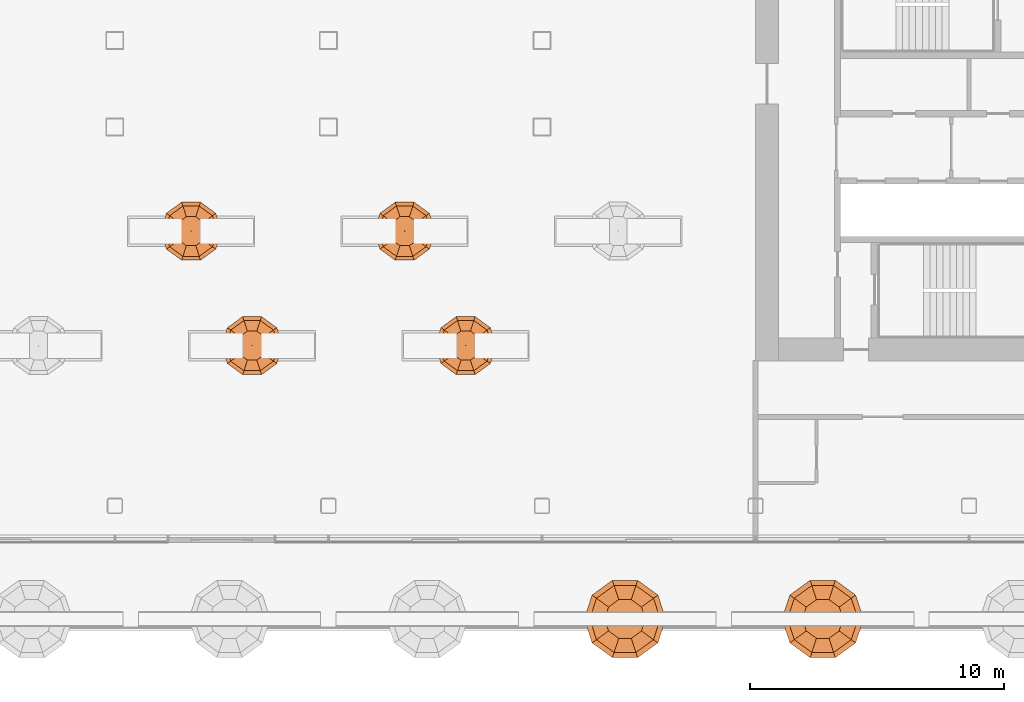
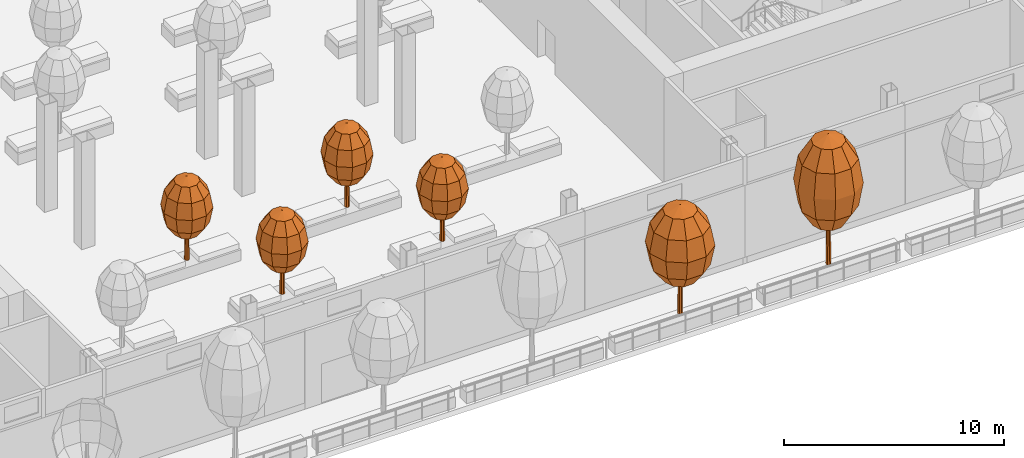
# One storey, part 38 of 41: 6 geographic elements.
"""IFC4 building model written with IfcOpenShell, lengths in metres."""

from ifc_helpers import new_model, si_unit, direction, frame, origin, place, context, subcontext, project, spatial, triangles, material, type_object, element, save


model = new_model("IFC4")

# Units and contexts
model_context = context("Model", 3, precision=1e-05, world=origin(), true_north=direction((0.0, 1.0)))
body_context = subcontext(model_context, "Body", "Model", "MODEL_VIEW")
ifc_project = project(units=[si_unit("LENGTHUNIT", "METRE"), si_unit("AREAUNIT", "SQUARE_METRE"), si_unit("VOLUMEUNIT", "CUBIC_METRE"), si_unit("PLANEANGLEUNIT", "RADIAN"), si_unit("MASSUNIT", "GRAM", prefix="KILO")], contexts=[model_context])

# Site, building, storey
site_placement = place(None, origin())
site = spatial("IfcSite", under=ifc_project, at=site_placement, CompositionType="ELEMENT")
building_placement = place(site_placement, origin())
building = spatial("IfcBuilding", under=site, at=building_placement, Name="Hakoniwa Tower and Hamabe Station Hall", CompositionType="ELEMENT")
storey_placement = place(building_placement, frame((0.0, 0.0, 180.199951171875)))
storey = spatial("IfcBuildingStorey", under=building, at=storey_placement, Name="L51", CompositionType="ELEMENT", Elevation=180.199951171875)

# Geographic elements
ifc_material_1 = material(Name="Tree foliage")
geographic_element_type_1 = type_object("IfcGeographicElementType", Name="Camellia 4.6 m", PredefinedType="USERDEFINED", material=ifc_material_1)
geographic_element_1_placement = place(storey_placement, frame((-5.39990234375, -3.300048828125, 0.60009765625)))
element("IfcGeographicElement", 1, at=geographic_element_1_placement, inside=storey, type_object=geographic_element_type_1, Name="Camellia 4-6 m", ObjectType="TREE", PredefinedType="USERDEFINED", context=body_context, shape_type="Tessellation", body=[
    triangles([(0.125, 0.0, 0.0), (0.08837890625, 0.08837890625, 0.0), (0.0, 0.125, 0.0), (-0.08837890625, 0.08837890625, 0.0), (-0.125, 0.0, 0.0), (-0.08837890625, -0.08837890625, 0.0), (0.0, -0.125, 0.0), (0.08837890625, -0.08837890625, 0.0), (0.074951171875, 0.0, 2.778564453125), (0.052978515625, 0.052978515625, 2.778564453125), (0.0, 0.074951171875, 2.778564453125), (-0.052978515625, 0.052978515625, 2.778564453125), (-0.074951171875, 0.0, 2.778564453125), (-0.052978515625, -0.052978515625, 2.778564453125), (0.0, -0.074951171875, 2.778564453125), (0.052978515625, -0.052978515625, 2.778564453125), (0.0, 0.0, 0.0), (0.0, 0.0, 2.778564453125)], [[1, 2, 10], [1, 10, 9], [17, 2, 1], [18, 9, 10], [2, 3, 11], [2, 11, 10], [17, 3, 2], [18, 10, 11], [3, 4, 12], [3, 12, 11], [17, 4, 3], [18, 11, 12], [4, 5, 13], [4, 13, 12], [17, 5, 4], [18, 12, 13], [5, 6, 14], [5, 14, 13], [17, 6, 5], [18, 13, 14], [6, 7, 15], [6, 15, 14], [17, 7, 6], [18, 14, 15], [7, 8, 16], [7, 16, 15], [17, 8, 7], [18, 15, 16], [8, 1, 9], [8, 9, 16], [17, 1, 8], [18, 16, 9]], closed=True),
    triangles([(0.0, 0.0, 1.2880859375), (0.599853515625, 0.0, 1.510009765625), (0.4853515625, 0.3525390625, 1.510009765625), (0.185302734375, 0.570556640625, 1.510009765625), (-0.185302734375, 0.570556640625, 1.510009765625), (-0.4853515625, 0.3525390625, 1.510009765625), (-0.599853515625, 0.0, 1.510009765625), (-0.4853515625, -0.3525390625, 1.510009765625), (-0.185302734375, -0.570556640625, 1.510009765625), (0.185302734375, -0.570556640625, 1.510009765625), (0.4853515625, -0.3525390625, 1.510009765625), (1.039306640625, 0.0, 2.115966796875), (0.8408203125, 0.61083984375, 2.115966796875), (0.321044921875, 0.98828125, 2.115966796875), (-0.321044921875, 0.98828125, 2.115966796875), (-0.8408203125, 0.61083984375, 2.115966796875), (-1.039306640625, 0.0, 2.115966796875), (-0.8408203125, -0.61083984375, 2.115966796875), (-0.321044921875, -0.98828125, 2.115966796875), (0.321044921875, -0.98828125, 2.115966796875), (0.8408203125, -0.61083984375, 2.115966796875), (1.199951171875, 0.0, 2.944091796875), (0.970703125, 0.705322265625, 2.944091796875), (0.370849609375, 1.14111328125, 2.944091796875), (-0.370849609375, 1.14111328125, 2.944091796875), (-0.970703125, 0.705322265625, 2.944091796875), (-1.199951171875, 0.0, 2.944091796875), (-0.970703125, -0.705322265625, 2.944091796875), (-0.370849609375, -1.14111328125, 2.944091796875), (0.370849609375, -1.14111328125, 2.944091796875), (0.970703125, -0.705322265625, 2.944091796875), (1.039306640625, 0.0, 3.77197265625), (0.8408203125, 0.61083984375, 3.77197265625), (0.321044921875, 0.98828125, 3.77197265625), (-0.321044921875, 0.98828125, 3.77197265625), (-0.8408203125, 0.61083984375, 3.77197265625), (-1.039306640625, 0.0, 3.77197265625), (-0.8408203125, -0.61083984375, 3.77197265625), (-0.321044921875, -0.98828125, 3.77197265625), (0.321044921875, -0.98828125, 3.77197265625), (0.8408203125, -0.61083984375, 3.77197265625), (0.599853515625, 0.0, 4.378173828125), (0.4853515625, 0.3525390625, 4.378173828125), (0.185302734375, 0.570556640625, 4.378173828125), (-0.185302734375, 0.570556640625, 4.378173828125), (-0.4853515625, 0.3525390625, 4.378173828125), (-0.599853515625, 0.0, 4.378173828125), (-0.4853515625, -0.3525390625, 4.378173828125), (-0.185302734375, -0.570556640625, 4.378173828125), (0.185302734375, -0.570556640625, 4.378173828125), (0.4853515625, -0.3525390625, 4.378173828125), (0.0, 0.0, 4.60009765625)], [[1, 3, 2], [1, 4, 3], [1, 5, 4], [1, 6, 5], [1, 7, 6], [1, 8, 7], [1, 9, 8], [1, 10, 9], [1, 11, 10], [1, 2, 11], [2, 3, 13], [2, 13, 12], [3, 4, 14], [3, 14, 13], [4, 5, 15], [4, 15, 14], [5, 6, 16], [5, 16, 15], [6, 7, 17], [6, 17, 16], [7, 8, 18], [7, 18, 17], [8, 9, 19], [8, 19, 18], [9, 10, 20], [9, 20, 19], [10, 11, 21], [10, 21, 20], [11, 2, 12], [11, 12, 21], [12, 13, 23], [12, 23, 22], [13, 14, 24], [13, 24, 23], [14, 15, 25], [14, 25, 24], [15, 16, 26], [15, 26, 25], [16, 17, 27], [16, 27, 26], [17, 18, 28], [17, 28, 27], [18, 19, 29], [18, 29, 28], [19, 20, 30], [19, 30, 29], [20, 21, 31], [20, 31, 30], [21, 12, 22], [21, 22, 31], [22, 23, 33], [22, 33, 32], [23, 24, 34], [23, 34, 33], [24, 25, 35], [24, 35, 34], [25, 26, 36], [25, 36, 35], [26, 27, 37], [26, 37, 36], [27, 28, 38], [27, 38, 37], [28, 29, 39], [28, 39, 38], [29, 30, 40], [29, 40, 39], [30, 31, 41], [30, 41, 40], [31, 22, 32], [31, 32, 41], [32, 33, 43], [32, 43, 42], [33, 34, 44], [33, 44, 43], [34, 35, 45], [34, 45, 44], [35, 36, 46], [35, 46, 45], [36, 37, 47], [36, 47, 46], [37, 38, 48], [37, 48, 47], [38, 39, 49], [38, 49, 48], [39, 40, 50], [39, 50, 49], [40, 41, 51], [40, 51, 50], [41, 32, 42], [41, 42, 51], [52, 42, 43], [52, 43, 44], [52, 44, 45], [52, 45, 46], [52, 46, 47], [52, 47, 48], [52, 48, 49], [52, 49, 50], [52, 50, 51], [52, 51, 42]], closed=True),
])
geographic_element_2_placement = place(storey_placement, frame((3.0, -3.300048828125, 0.60009765625)))
element("IfcGeographicElement", 2, at=geographic_element_2_placement, inside=storey, type_object=geographic_element_type_1, Name="Camellia 4-6 m", ObjectType="TREE", PredefinedType="USERDEFINED", context=body_context, shape_type="Tessellation", body=[
    triangles([(0.125, 0.0, 0.0), (0.08837890625, 0.08837890625, 0.0), (0.0, 0.125, 0.0), (-0.08837890625, 0.08837890625, 0.0), (-0.125, 0.0, 0.0), (-0.08837890625, -0.08837890625, 0.0), (0.0, -0.125, 0.0), (0.08837890625, -0.08837890625, 0.0), (0.074951171875, 0.0, 2.778564453125), (0.052978515625, 0.052978515625, 2.778564453125), (0.0, 0.074951171875, 2.778564453125), (-0.052978515625, 0.052978515625, 2.778564453125), (-0.074951171875, 0.0, 2.778564453125), (-0.052978515625, -0.052978515625, 2.778564453125), (0.0, -0.074951171875, 2.778564453125), (0.052978515625, -0.052978515625, 2.778564453125), (0.0, 0.0, 0.0), (0.0, 0.0, 2.778564453125)], [[1, 2, 10], [1, 10, 9], [17, 2, 1], [18, 9, 10], [2, 3, 11], [2, 11, 10], [17, 3, 2], [18, 10, 11], [3, 4, 12], [3, 12, 11], [17, 4, 3], [18, 11, 12], [4, 5, 13], [4, 13, 12], [17, 5, 4], [18, 12, 13], [5, 6, 14], [5, 14, 13], [17, 6, 5], [18, 13, 14], [6, 7, 15], [6, 15, 14], [17, 7, 6], [18, 14, 15], [7, 8, 16], [7, 16, 15], [17, 8, 7], [18, 15, 16], [8, 1, 9], [8, 9, 16], [17, 1, 8], [18, 16, 9]], closed=True),
    triangles([(0.0, 0.0, 1.2880859375), (0.599853515625, 0.0, 1.510009765625), (0.4853515625, 0.3525390625, 1.510009765625), (0.185302734375, 0.570556640625, 1.510009765625), (-0.185302734375, 0.570556640625, 1.510009765625), (-0.4853515625, 0.3525390625, 1.510009765625), (-0.599853515625, 0.0, 1.510009765625), (-0.4853515625, -0.3525390625, 1.510009765625), (-0.185302734375, -0.570556640625, 1.510009765625), (0.185302734375, -0.570556640625, 1.510009765625), (0.4853515625, -0.3525390625, 1.510009765625), (1.039306640625, 0.0, 2.115966796875), (0.8408203125, 0.61083984375, 2.115966796875), (0.321044921875, 0.98828125, 2.115966796875), (-0.321044921875, 0.98828125, 2.115966796875), (-0.8408203125, 0.61083984375, 2.115966796875), (-1.039306640625, 0.0, 2.115966796875), (-0.8408203125, -0.61083984375, 2.115966796875), (-0.321044921875, -0.98828125, 2.115966796875), (0.321044921875, -0.98828125, 2.115966796875), (0.8408203125, -0.61083984375, 2.115966796875), (1.199951171875, 0.0, 2.944091796875), (0.970703125, 0.705322265625, 2.944091796875), (0.370849609375, 1.14111328125, 2.944091796875), (-0.370849609375, 1.14111328125, 2.944091796875), (-0.970703125, 0.705322265625, 2.944091796875), (-1.199951171875, 0.0, 2.944091796875), (-0.970703125, -0.705322265625, 2.944091796875), (-0.370849609375, -1.14111328125, 2.944091796875), (0.370849609375, -1.14111328125, 2.944091796875), (0.970703125, -0.705322265625, 2.944091796875), (1.039306640625, 0.0, 3.77197265625), (0.8408203125, 0.61083984375, 3.77197265625), (0.321044921875, 0.98828125, 3.77197265625), (-0.321044921875, 0.98828125, 3.77197265625), (-0.8408203125, 0.61083984375, 3.77197265625), (-1.039306640625, 0.0, 3.77197265625), (-0.8408203125, -0.61083984375, 3.77197265625), (-0.321044921875, -0.98828125, 3.77197265625), (0.321044921875, -0.98828125, 3.77197265625), (0.8408203125, -0.61083984375, 3.77197265625), (0.599853515625, 0.0, 4.378173828125), (0.4853515625, 0.3525390625, 4.378173828125), (0.185302734375, 0.570556640625, 4.378173828125), (-0.185302734375, 0.570556640625, 4.378173828125), (-0.4853515625, 0.3525390625, 4.378173828125), (-0.599853515625, 0.0, 4.378173828125), (-0.4853515625, -0.3525390625, 4.378173828125), (-0.185302734375, -0.570556640625, 4.378173828125), (0.185302734375, -0.570556640625, 4.378173828125), (0.4853515625, -0.3525390625, 4.378173828125), (0.0, 0.0, 4.60009765625)], [[1, 3, 2], [1, 4, 3], [1, 5, 4], [1, 6, 5], [1, 7, 6], [1, 8, 7], [1, 9, 8], [1, 10, 9], [1, 11, 10], [1, 2, 11], [2, 3, 13], [2, 13, 12], [3, 4, 14], [3, 14, 13], [4, 5, 15], [4, 15, 14], [5, 6, 16], [5, 16, 15], [6, 7, 17], [6, 17, 16], [7, 8, 18], [7, 18, 17], [8, 9, 19], [8, 19, 18], [9, 10, 20], [9, 20, 19], [10, 11, 21], [10, 21, 20], [11, 2, 12], [11, 12, 21], [12, 13, 23], [12, 23, 22], [13, 14, 24], [13, 24, 23], [14, 15, 25], [14, 25, 24], [15, 16, 26], [15, 26, 25], [16, 17, 27], [16, 27, 26], [17, 18, 28], [17, 28, 27], [18, 19, 29], [18, 29, 28], [19, 20, 30], [19, 30, 29], [20, 21, 31], [20, 31, 30], [21, 12, 22], [21, 22, 31], [22, 23, 33], [22, 33, 32], [23, 24, 34], [23, 34, 33], [24, 25, 35], [24, 35, 34], [25, 26, 36], [25, 36, 35], [26, 27, 37], [26, 37, 36], [27, 28, 38], [27, 38, 37], [28, 29, 39], [28, 39, 38], [29, 30, 40], [29, 40, 39], [30, 31, 41], [30, 41, 40], [31, 22, 32], [31, 32, 41], [32, 33, 43], [32, 43, 42], [33, 34, 44], [33, 44, 43], [34, 35, 45], [34, 45, 44], [35, 36, 46], [35, 46, 45], [36, 37, 47], [36, 47, 46], [37, 38, 48], [37, 48, 47], [38, 39, 49], [38, 49, 48], [39, 40, 50], [39, 50, 49], [40, 41, 51], [40, 51, 50], [41, 32, 42], [41, 42, 51], [52, 42, 43], [52, 43, 44], [52, 44, 45], [52, 45, 46], [52, 46, 47], [52, 47, 48], [52, 48, 49], [52, 49, 50], [52, 50, 51], [52, 51, 42]], closed=True),
])
geographic_element_3_placement = place(storey_placement, frame((-3.0, -7.800048828125, 0.60009765625)))
element("IfcGeographicElement", 3, at=geographic_element_3_placement, inside=storey, type_object=geographic_element_type_1, Name="Camellia 4-6 m", ObjectType="TREE", PredefinedType="USERDEFINED", context=body_context, shape_type="Tessellation", body=[
    triangles([(0.125, 0.0, 0.0), (0.08837890625, 0.08837890625, 0.0), (0.0, 0.125, 0.0), (-0.08837890625, 0.08837890625, 0.0), (-0.125, 0.0, 0.0), (-0.08837890625, -0.08837890625, 0.0), (0.0, -0.125, 0.0), (0.08837890625, -0.08837890625, 0.0), (0.074951171875, 0.0, 2.778564453125), (0.052978515625, 0.052978515625, 2.778564453125), (0.0, 0.074951171875, 2.778564453125), (-0.052978515625, 0.052978515625, 2.778564453125), (-0.074951171875, 0.0, 2.778564453125), (-0.052978515625, -0.052978515625, 2.778564453125), (0.0, -0.074951171875, 2.778564453125), (0.052978515625, -0.052978515625, 2.778564453125), (0.0, 0.0, 0.0), (0.0, 0.0, 2.778564453125)], [[1, 2, 10], [1, 10, 9], [17, 2, 1], [18, 9, 10], [2, 3, 11], [2, 11, 10], [17, 3, 2], [18, 10, 11], [3, 4, 12], [3, 12, 11], [17, 4, 3], [18, 11, 12], [4, 5, 13], [4, 13, 12], [17, 5, 4], [18, 12, 13], [5, 6, 14], [5, 14, 13], [17, 6, 5], [18, 13, 14], [6, 7, 15], [6, 15, 14], [17, 7, 6], [18, 14, 15], [7, 8, 16], [7, 16, 15], [17, 8, 7], [18, 15, 16], [8, 1, 9], [8, 9, 16], [17, 1, 8], [18, 16, 9]], closed=True),
    triangles([(0.0, 0.0, 1.2880859375), (0.599853515625, 0.0, 1.510009765625), (0.4853515625, 0.3525390625, 1.510009765625), (0.185302734375, 0.570556640625, 1.510009765625), (-0.185302734375, 0.570556640625, 1.510009765625), (-0.4853515625, 0.3525390625, 1.510009765625), (-0.599853515625, 0.0, 1.510009765625), (-0.4853515625, -0.3525390625, 1.510009765625), (-0.185302734375, -0.570556640625, 1.510009765625), (0.185302734375, -0.570556640625, 1.510009765625), (0.4853515625, -0.3525390625, 1.510009765625), (1.039306640625, 0.0, 2.115966796875), (0.8408203125, 0.61083984375, 2.115966796875), (0.321044921875, 0.98828125, 2.115966796875), (-0.321044921875, 0.98828125, 2.115966796875), (-0.8408203125, 0.61083984375, 2.115966796875), (-1.039306640625, 0.0, 2.115966796875), (-0.8408203125, -0.61083984375, 2.115966796875), (-0.321044921875, -0.98828125, 2.115966796875), (0.321044921875, -0.98828125, 2.115966796875), (0.8408203125, -0.61083984375, 2.115966796875), (1.199951171875, 0.0, 2.944091796875), (0.970703125, 0.705322265625, 2.944091796875), (0.370849609375, 1.14111328125, 2.944091796875), (-0.370849609375, 1.14111328125, 2.944091796875), (-0.970703125, 0.705322265625, 2.944091796875), (-1.199951171875, 0.0, 2.944091796875), (-0.970703125, -0.705322265625, 2.944091796875), (-0.370849609375, -1.14111328125, 2.944091796875), (0.370849609375, -1.14111328125, 2.944091796875), (0.970703125, -0.705322265625, 2.944091796875), (1.039306640625, 0.0, 3.77197265625), (0.8408203125, 0.61083984375, 3.77197265625), (0.321044921875, 0.98828125, 3.77197265625), (-0.321044921875, 0.98828125, 3.77197265625), (-0.8408203125, 0.61083984375, 3.77197265625), (-1.039306640625, 0.0, 3.77197265625), (-0.8408203125, -0.61083984375, 3.77197265625), (-0.321044921875, -0.98828125, 3.77197265625), (0.321044921875, -0.98828125, 3.77197265625), (0.8408203125, -0.61083984375, 3.77197265625), (0.599853515625, 0.0, 4.378173828125), (0.4853515625, 0.3525390625, 4.378173828125), (0.185302734375, 0.570556640625, 4.378173828125), (-0.185302734375, 0.570556640625, 4.378173828125), (-0.4853515625, 0.3525390625, 4.378173828125), (-0.599853515625, 0.0, 4.378173828125), (-0.4853515625, -0.3525390625, 4.378173828125), (-0.185302734375, -0.570556640625, 4.378173828125), (0.185302734375, -0.570556640625, 4.378173828125), (0.4853515625, -0.3525390625, 4.378173828125), (0.0, 0.0, 4.60009765625)], [[1, 3, 2], [1, 4, 3], [1, 5, 4], [1, 6, 5], [1, 7, 6], [1, 8, 7], [1, 9, 8], [1, 10, 9], [1, 11, 10], [1, 2, 11], [2, 3, 13], [2, 13, 12], [3, 4, 14], [3, 14, 13], [4, 5, 15], [4, 15, 14], [5, 6, 16], [5, 16, 15], [6, 7, 17], [6, 17, 16], [7, 8, 18], [7, 18, 17], [8, 9, 19], [8, 19, 18], [9, 10, 20], [9, 20, 19], [10, 11, 21], [10, 21, 20], [11, 2, 12], [11, 12, 21], [12, 13, 23], [12, 23, 22], [13, 14, 24], [13, 24, 23], [14, 15, 25], [14, 25, 24], [15, 16, 26], [15, 26, 25], [16, 17, 27], [16, 27, 26], [17, 18, 28], [17, 28, 27], [18, 19, 29], [18, 29, 28], [19, 20, 30], [19, 30, 29], [20, 21, 31], [20, 31, 30], [21, 12, 22], [21, 22, 31], [22, 23, 33], [22, 33, 32], [23, 24, 34], [23, 34, 33], [24, 25, 35], [24, 35, 34], [25, 26, 36], [25, 36, 35], [26, 27, 37], [26, 37, 36], [27, 28, 38], [27, 38, 37], [28, 29, 39], [28, 39, 38], [29, 30, 40], [29, 40, 39], [30, 31, 41], [30, 41, 40], [31, 22, 32], [31, 32, 41], [32, 33, 43], [32, 43, 42], [33, 34, 44], [33, 44, 43], [34, 35, 45], [34, 45, 44], [35, 36, 46], [35, 46, 45], [36, 37, 47], [36, 47, 46], [37, 38, 48], [37, 48, 47], [38, 39, 49], [38, 49, 48], [39, 40, 50], [39, 50, 49], [40, 41, 51], [40, 51, 50], [41, 32, 42], [41, 42, 51], [52, 42, 43], [52, 43, 44], [52, 44, 45], [52, 45, 46], [52, 46, 47], [52, 47, 48], [52, 48, 49], [52, 49, 50], [52, 50, 51], [52, 51, 42]], closed=True),
])
geographic_element_4_placement = place(storey_placement, frame((5.39990234375, -7.800048828125, 0.60009765625)))
element("IfcGeographicElement", 4, at=geographic_element_4_placement, inside=storey, type_object=geographic_element_type_1, Name="Camellia 4-6 m", ObjectType="TREE", PredefinedType="USERDEFINED", context=body_context, shape_type="Tessellation", body=[
    triangles([(0.125, 0.0, 0.0), (0.08837890625, 0.08837890625, 0.0), (0.0, 0.125, 0.0), (-0.08837890625, 0.08837890625, 0.0), (-0.125, 0.0, 0.0), (-0.08837890625, -0.08837890625, 0.0), (0.0, -0.125, 0.0), (0.08837890625, -0.08837890625, 0.0), (0.074951171875, 0.0, 2.778564453125), (0.052978515625, 0.052978515625, 2.778564453125), (0.0, 0.074951171875, 2.778564453125), (-0.052978515625, 0.052978515625, 2.778564453125), (-0.074951171875, 0.0, 2.778564453125), (-0.052978515625, -0.052978515625, 2.778564453125), (0.0, -0.074951171875, 2.778564453125), (0.052978515625, -0.052978515625, 2.778564453125), (0.0, 0.0, 0.0), (0.0, 0.0, 2.778564453125)], [[1, 2, 10], [1, 10, 9], [17, 2, 1], [18, 9, 10], [2, 3, 11], [2, 11, 10], [17, 3, 2], [18, 10, 11], [3, 4, 12], [3, 12, 11], [17, 4, 3], [18, 11, 12], [4, 5, 13], [4, 13, 12], [17, 5, 4], [18, 12, 13], [5, 6, 14], [5, 14, 13], [17, 6, 5], [18, 13, 14], [6, 7, 15], [6, 15, 14], [17, 7, 6], [18, 14, 15], [7, 8, 16], [7, 16, 15], [17, 8, 7], [18, 15, 16], [8, 1, 9], [8, 9, 16], [17, 1, 8], [18, 16, 9]], closed=True),
    triangles([(0.0, 0.0, 1.2880859375), (0.599853515625, 0.0, 1.510009765625), (0.4853515625, 0.3525390625, 1.510009765625), (0.185302734375, 0.570556640625, 1.510009765625), (-0.185302734375, 0.570556640625, 1.510009765625), (-0.4853515625, 0.3525390625, 1.510009765625), (-0.599853515625, 0.0, 1.510009765625), (-0.4853515625, -0.3525390625, 1.510009765625), (-0.185302734375, -0.570556640625, 1.510009765625), (0.185302734375, -0.570556640625, 1.510009765625), (0.4853515625, -0.3525390625, 1.510009765625), (1.039306640625, 0.0, 2.115966796875), (0.8408203125, 0.61083984375, 2.115966796875), (0.321044921875, 0.98828125, 2.115966796875), (-0.321044921875, 0.98828125, 2.115966796875), (-0.8408203125, 0.61083984375, 2.115966796875), (-1.039306640625, 0.0, 2.115966796875), (-0.8408203125, -0.61083984375, 2.115966796875), (-0.321044921875, -0.98828125, 2.115966796875), (0.321044921875, -0.98828125, 2.115966796875), (0.8408203125, -0.61083984375, 2.115966796875), (1.199951171875, 0.0, 2.944091796875), (0.970703125, 0.705322265625, 2.944091796875), (0.370849609375, 1.14111328125, 2.944091796875), (-0.370849609375, 1.14111328125, 2.944091796875), (-0.970703125, 0.705322265625, 2.944091796875), (-1.199951171875, 0.0, 2.944091796875), (-0.970703125, -0.705322265625, 2.944091796875), (-0.370849609375, -1.14111328125, 2.944091796875), (0.370849609375, -1.14111328125, 2.944091796875), (0.970703125, -0.705322265625, 2.944091796875), (1.039306640625, 0.0, 3.77197265625), (0.8408203125, 0.61083984375, 3.77197265625), (0.321044921875, 0.98828125, 3.77197265625), (-0.321044921875, 0.98828125, 3.77197265625), (-0.8408203125, 0.61083984375, 3.77197265625), (-1.039306640625, 0.0, 3.77197265625), (-0.8408203125, -0.61083984375, 3.77197265625), (-0.321044921875, -0.98828125, 3.77197265625), (0.321044921875, -0.98828125, 3.77197265625), (0.8408203125, -0.61083984375, 3.77197265625), (0.599853515625, 0.0, 4.378173828125), (0.4853515625, 0.3525390625, 4.378173828125), (0.185302734375, 0.570556640625, 4.378173828125), (-0.185302734375, 0.570556640625, 4.378173828125), (-0.4853515625, 0.3525390625, 4.378173828125), (-0.599853515625, 0.0, 4.378173828125), (-0.4853515625, -0.3525390625, 4.378173828125), (-0.185302734375, -0.570556640625, 4.378173828125), (0.185302734375, -0.570556640625, 4.378173828125), (0.4853515625, -0.3525390625, 4.378173828125), (0.0, 0.0, 4.60009765625)], [[1, 3, 2], [1, 4, 3], [1, 5, 4], [1, 6, 5], [1, 7, 6], [1, 8, 7], [1, 9, 8], [1, 10, 9], [1, 11, 10], [1, 2, 11], [2, 3, 13], [2, 13, 12], [3, 4, 14], [3, 14, 13], [4, 5, 15], [4, 15, 14], [5, 6, 16], [5, 16, 15], [6, 7, 17], [6, 17, 16], [7, 8, 18], [7, 18, 17], [8, 9, 19], [8, 19, 18], [9, 10, 20], [9, 20, 19], [10, 11, 21], [10, 21, 20], [11, 2, 12], [11, 12, 21], [12, 13, 23], [12, 23, 22], [13, 14, 24], [13, 24, 23], [14, 15, 25], [14, 25, 24], [15, 16, 26], [15, 26, 25], [16, 17, 27], [16, 27, 26], [17, 18, 28], [17, 28, 27], [18, 19, 29], [18, 29, 28], [19, 20, 30], [19, 30, 29], [20, 21, 31], [20, 31, 30], [21, 12, 22], [21, 22, 31], [22, 23, 33], [22, 33, 32], [23, 24, 34], [23, 34, 33], [24, 25, 35], [24, 35, 34], [25, 26, 36], [25, 36, 35], [26, 27, 37], [26, 37, 36], [27, 28, 38], [27, 38, 37], [28, 29, 39], [28, 39, 38], [29, 30, 40], [29, 40, 39], [30, 31, 41], [30, 41, 40], [31, 22, 32], [31, 32, 41], [32, 33, 43], [32, 43, 42], [33, 34, 44], [33, 44, 43], [34, 35, 45], [34, 45, 44], [35, 36, 46], [35, 46, 45], [36, 37, 47], [36, 47, 46], [37, 38, 48], [37, 48, 47], [38, 39, 49], [38, 49, 48], [39, 40, 50], [39, 50, 49], [40, 41, 51], [40, 51, 50], [41, 32, 42], [41, 42, 51], [52, 42, 43], [52, 43, 44], [52, 44, 45], [52, 45, 46], [52, 46, 47], [52, 47, 48], [52, 48, 49], [52, 49, 50], [52, 50, 51], [52, 51, 42]], closed=True),
])
ifc_material_2 = material(Name="Tree foliage")
geographic_element_type_2 = type_object("IfcGeographicElementType", Name="Japanese maple 7.2 m", PredefinedType="USERDEFINED", material=ifc_material_2)
geographic_element_5_placement = place(storey_placement, frame((19.443359375, -18.551025390625, 0.900146484375)))
element("IfcGeographicElement", 5, at=geographic_element_5_placement, inside=storey, type_object=geographic_element_type_2, Name="Japanese maple 7-2 m", ObjectType="TREE", PredefinedType="USERDEFINED", context=body_context, shape_type="Tessellation", body=[
    triangles([(0.125, 0.0, 0.0), (0.08837890625, 0.08837890625, 0.0), (0.0, 0.125, 0.0), (-0.08837890625, 0.08837890625, 0.0), (-0.125, 0.0, 0.0), (-0.08837890625, -0.08837890625, 0.0), (0.0, -0.125, 0.0), (0.08837890625, -0.08837890625, 0.0), (0.074951171875, 0.0, 4.348876953125), (0.052978515625, 0.052978515625, 4.348876953125), (0.0, 0.074951171875, 4.348876953125), (-0.052978515625, 0.052978515625, 4.348876953125), (-0.074951171875, 0.0, 4.348876953125), (-0.052978515625, -0.052978515625, 4.348876953125), (0.0, -0.074951171875, 4.348876953125), (0.052978515625, -0.052978515625, 4.348876953125), (0.0, 0.0, 0.0), (0.0, 0.0, 4.348876953125)], [[1, 2, 10], [1, 10, 9], [17, 2, 1], [18, 9, 10], [2, 3, 11], [2, 11, 10], [17, 3, 2], [18, 10, 11], [3, 4, 12], [3, 12, 11], [17, 4, 3], [18, 11, 12], [4, 5, 13], [4, 13, 12], [17, 5, 4], [18, 12, 13], [5, 6, 14], [5, 14, 13], [17, 6, 5], [18, 13, 14], [6, 7, 15], [6, 15, 14], [17, 7, 6], [18, 14, 15], [7, 8, 16], [7, 16, 15], [17, 8, 7], [18, 15, 16], [8, 1, 9], [8, 9, 16], [17, 1, 8], [18, 16, 9]], closed=True),
    triangles([(0.0, 0.0, 2.015869140625), (0.800048828125, 0.0, 2.36328125), (0.647216796875, 0.47021484375, 2.36328125), (0.247314453125, 0.7607421875, 2.36328125), (-0.247314453125, 0.7607421875, 2.36328125), (-0.647216796875, 0.47021484375, 2.36328125), (-0.800048828125, 0.0, 2.36328125), (-0.647216796875, -0.47021484375, 2.36328125), (-0.247314453125, -0.7607421875, 2.36328125), (0.247314453125, -0.7607421875, 2.36328125), (0.647216796875, -0.47021484375, 2.36328125), (1.385498046875, 0.0, 3.31201171875), (1.12109375, 0.814453125, 3.31201171875), (0.42822265625, 1.31787109375, 3.31201171875), (-0.42822265625, 1.31787109375, 3.31201171875), (-1.12109375, 0.814453125, 3.31201171875), (-1.385498046875, 0.0, 3.31201171875), (-1.12109375, -0.814453125, 3.31201171875), (-0.42822265625, -1.31787109375, 3.31201171875), (0.42822265625, -1.31787109375, 3.31201171875), (1.12109375, -0.814453125, 3.31201171875), (1.60009765625, 0.0, 4.60791015625), (1.29443359375, 0.9404296875, 4.60791015625), (0.494384765625, 1.521728515625, 4.60791015625), (-0.494384765625, 1.521728515625, 4.60791015625), (-1.29443359375, 0.9404296875, 4.60791015625), (-1.60009765625, 0.0, 4.60791015625), (-1.29443359375, -0.9404296875, 4.60791015625), (-0.494384765625, -1.521728515625, 4.60791015625), (0.494384765625, -1.521728515625, 4.60791015625), (1.29443359375, -0.9404296875, 4.60791015625), (1.385498046875, 0.0, 5.904052734375), (1.12109375, 0.814453125, 5.904052734375), (0.42822265625, 1.31787109375, 5.904052734375), (-0.42822265625, 1.31787109375, 5.904052734375), (-1.12109375, 0.814453125, 5.904052734375), (-1.385498046875, 0.0, 5.904052734375), (-1.12109375, -0.814453125, 5.904052734375), (-0.42822265625, -1.31787109375, 5.904052734375), (0.42822265625, -1.31787109375, 5.904052734375), (1.12109375, -0.814453125, 5.904052734375), (0.800048828125, 0.0, 6.852783203125), (0.647216796875, 0.47021484375, 6.852783203125), (0.247314453125, 0.7607421875, 6.852783203125), (-0.247314453125, 0.7607421875, 6.852783203125), (-0.647216796875, 0.47021484375, 6.852783203125), (-0.800048828125, 0.0, 6.852783203125), (-0.647216796875, -0.47021484375, 6.852783203125), (-0.247314453125, -0.7607421875, 6.852783203125), (0.247314453125, -0.7607421875, 6.852783203125), (0.647216796875, -0.47021484375, 6.852783203125), (0.0, 0.0, 7.199951171875)], [[1, 3, 2], [1, 4, 3], [1, 5, 4], [1, 6, 5], [1, 7, 6], [1, 8, 7], [1, 9, 8], [1, 10, 9], [1, 11, 10], [1, 2, 11], [2, 3, 13], [2, 13, 12], [3, 4, 14], [3, 14, 13], [4, 5, 15], [4, 15, 14], [5, 6, 16], [5, 16, 15], [6, 7, 17], [6, 17, 16], [7, 8, 18], [7, 18, 17], [8, 9, 19], [8, 19, 18], [9, 10, 20], [9, 20, 19], [10, 11, 21], [10, 21, 20], [11, 2, 12], [11, 12, 21], [12, 13, 23], [12, 23, 22], [13, 14, 24], [13, 24, 23], [14, 15, 25], [14, 25, 24], [15, 16, 26], [15, 26, 25], [16, 17, 27], [16, 27, 26], [17, 18, 28], [17, 28, 27], [18, 19, 29], [18, 29, 28], [19, 20, 30], [19, 30, 29], [20, 21, 31], [20, 31, 30], [21, 12, 22], [21, 22, 31], [22, 23, 33], [22, 33, 32], [23, 24, 34], [23, 34, 33], [24, 25, 35], [24, 35, 34], [25, 26, 36], [25, 36, 35], [26, 27, 37], [26, 37, 36], [27, 28, 38], [27, 38, 37], [28, 29, 39], [28, 39, 38], [29, 30, 40], [29, 40, 39], [30, 31, 41], [30, 41, 40], [31, 22, 32], [31, 32, 41], [32, 33, 43], [32, 43, 42], [33, 34, 44], [33, 44, 43], [34, 35, 45], [34, 45, 44], [35, 36, 46], [35, 46, 45], [36, 37, 47], [36, 47, 46], [37, 38, 48], [37, 48, 47], [38, 39, 49], [38, 49, 48], [39, 40, 50], [39, 50, 49], [40, 41, 51], [40, 51, 50], [41, 32, 42], [41, 42, 51], [52, 42, 43], [52, 43, 44], [52, 44, 45], [52, 45, 46], [52, 46, 47], [52, 47, 48], [52, 48, 49], [52, 49, 50], [52, 50, 51], [52, 51, 42]], closed=True),
])
ifc_material_3 = material(Name="Tree foliage")
geographic_element_type_3 = type_object("IfcGeographicElementType", Name="Osmanthus 6.0 m", PredefinedType="USERDEFINED", material=ifc_material_3)
geographic_element_6_placement = place(storey_placement, frame((11.666015625, -18.551025390625, 0.900146484375)))
element("IfcGeographicElement", 6, at=geographic_element_6_placement, inside=storey, type_object=geographic_element_type_3, Name="Osmanthus 6-0 m", ObjectType="TREE", PredefinedType="USERDEFINED", context=body_context, shape_type="Tessellation", body=[
    triangles([(0.125, 0.0, 0.0), (0.08837890625, 0.08837890625, 0.0), (0.0, 0.125, 0.0), (-0.08837890625, 0.08837890625, 0.0), (-0.125, 0.0, 0.0), (-0.08837890625, -0.08837890625, 0.0), (0.0, -0.125, 0.0), (0.08837890625, -0.08837890625, 0.0), (0.074951171875, 0.0, 3.6240234375), (0.052978515625, 0.052978515625, 3.6240234375), (0.0, 0.074951171875, 3.6240234375), (-0.052978515625, 0.052978515625, 3.6240234375), (-0.074951171875, 0.0, 3.6240234375), (-0.052978515625, -0.052978515625, 3.6240234375), (0.0, -0.074951171875, 3.6240234375), (0.052978515625, -0.052978515625, 3.6240234375), (0.0, 0.0, 0.0), (0.0, 0.0, 3.6240234375)], [[1, 2, 10], [1, 10, 9], [17, 2, 1], [18, 9, 10], [2, 3, 11], [2, 11, 10], [17, 3, 2], [18, 10, 11], [3, 4, 12], [3, 12, 11], [17, 4, 3], [18, 11, 12], [4, 5, 13], [4, 13, 12], [17, 5, 4], [18, 12, 13], [5, 6, 14], [5, 14, 13], [17, 6, 5], [18, 13, 14], [6, 7, 15], [6, 15, 14], [17, 7, 6], [18, 14, 15], [7, 8, 16], [7, 16, 15], [17, 8, 7], [18, 15, 16], [8, 1, 9], [8, 9, 16], [17, 1, 8], [18, 16, 9]], closed=True),
    triangles([(0.0, 0.0, 1.679931640625), (0.800048828125, 0.0, 1.969482421875), (0.647216796875, 0.47021484375, 1.969482421875), (0.247314453125, 0.7607421875, 1.969482421875), (-0.247314453125, 0.7607421875, 1.969482421875), (-0.647216796875, 0.47021484375, 1.969482421875), (-0.800048828125, 0.0, 1.969482421875), (-0.647216796875, -0.47021484375, 1.969482421875), (-0.247314453125, -0.7607421875, 1.969482421875), (0.247314453125, -0.7607421875, 1.969482421875), (0.647216796875, -0.47021484375, 1.969482421875), (1.385498046875, 0.0, 2.760009765625), (1.12109375, 0.814453125, 2.760009765625), (0.42822265625, 1.31787109375, 2.760009765625), (-0.42822265625, 1.31787109375, 2.760009765625), (-1.12109375, 0.814453125, 2.760009765625), (-1.385498046875, 0.0, 2.760009765625), (-1.12109375, -0.814453125, 2.760009765625), (-0.42822265625, -1.31787109375, 2.760009765625), (0.42822265625, -1.31787109375, 2.760009765625), (1.12109375, -0.814453125, 2.760009765625), (1.60009765625, 0.0, 3.840087890625), (1.29443359375, 0.9404296875, 3.840087890625), (0.494384765625, 1.521728515625, 3.840087890625), (-0.494384765625, 1.521728515625, 3.840087890625), (-1.29443359375, 0.9404296875, 3.840087890625), (-1.60009765625, 0.0, 3.840087890625), (-1.29443359375, -0.9404296875, 3.840087890625), (-0.494384765625, -1.521728515625, 3.840087890625), (0.494384765625, -1.521728515625, 3.840087890625), (1.29443359375, -0.9404296875, 3.840087890625), (1.385498046875, 0.0, 4.919921875), (1.12109375, 0.814453125, 4.919921875), (0.42822265625, 1.31787109375, 4.919921875), (-0.42822265625, 1.31787109375, 4.919921875), (-1.12109375, 0.814453125, 4.919921875), (-1.385498046875, 0.0, 4.919921875), (-1.12109375, -0.814453125, 4.919921875), (-0.42822265625, -1.31787109375, 4.919921875), (0.42822265625, -1.31787109375, 4.919921875), (1.12109375, -0.814453125, 4.919921875), (0.800048828125, 0.0, 5.710693359375), (0.647216796875, 0.47021484375, 5.710693359375), (0.247314453125, 0.7607421875, 5.710693359375), (-0.247314453125, 0.7607421875, 5.710693359375), (-0.647216796875, 0.47021484375, 5.710693359375), (-0.800048828125, 0.0, 5.710693359375), (-0.647216796875, -0.47021484375, 5.710693359375), (-0.247314453125, -0.7607421875, 5.710693359375), (0.247314453125, -0.7607421875, 5.710693359375), (0.647216796875, -0.47021484375, 5.710693359375), (0.0, 0.0, 6.0)], [[1, 3, 2], [1, 4, 3], [1, 5, 4], [1, 6, 5], [1, 7, 6], [1, 8, 7], [1, 9, 8], [1, 10, 9], [1, 11, 10], [1, 2, 11], [2, 3, 13], [2, 13, 12], [3, 4, 14], [3, 14, 13], [4, 5, 15], [4, 15, 14], [5, 6, 16], [5, 16, 15], [6, 7, 17], [6, 17, 16], [7, 8, 18], [7, 18, 17], [8, 9, 19], [8, 19, 18], [9, 10, 20], [9, 20, 19], [10, 11, 21], [10, 21, 20], [11, 2, 12], [11, 12, 21], [12, 13, 23], [12, 23, 22], [13, 14, 24], [13, 24, 23], [14, 15, 25], [14, 25, 24], [15, 16, 26], [15, 26, 25], [16, 17, 27], [16, 27, 26], [17, 18, 28], [17, 28, 27], [18, 19, 29], [18, 29, 28], [19, 20, 30], [19, 30, 29], [20, 21, 31], [20, 31, 30], [21, 12, 22], [21, 22, 31], [22, 23, 33], [22, 33, 32], [23, 24, 34], [23, 34, 33], [24, 25, 35], [24, 35, 34], [25, 26, 36], [25, 36, 35], [26, 27, 37], [26, 37, 36], [27, 28, 38], [27, 38, 37], [28, 29, 39], [28, 39, 38], [29, 30, 40], [29, 40, 39], [30, 31, 41], [30, 41, 40], [31, 22, 32], [31, 32, 41], [32, 33, 43], [32, 43, 42], [33, 34, 44], [33, 44, 43], [34, 35, 45], [34, 45, 44], [35, 36, 46], [35, 46, 45], [36, 37, 47], [36, 47, 46], [37, 38, 48], [37, 48, 47], [38, 39, 49], [38, 49, 48], [39, 40, 50], [39, 50, 49], [40, 41, 51], [40, 51, 50], [41, 32, 42], [41, 42, 51], [52, 42, 43], [52, 43, 44], [52, 44, 45], [52, 45, 46], [52, 46, 47], [52, 47, 48], [52, 48, 49], [52, 49, 50], [52, 50, 51], [52, 51, 42]], closed=True),
])

save(model, "model.ifc")
